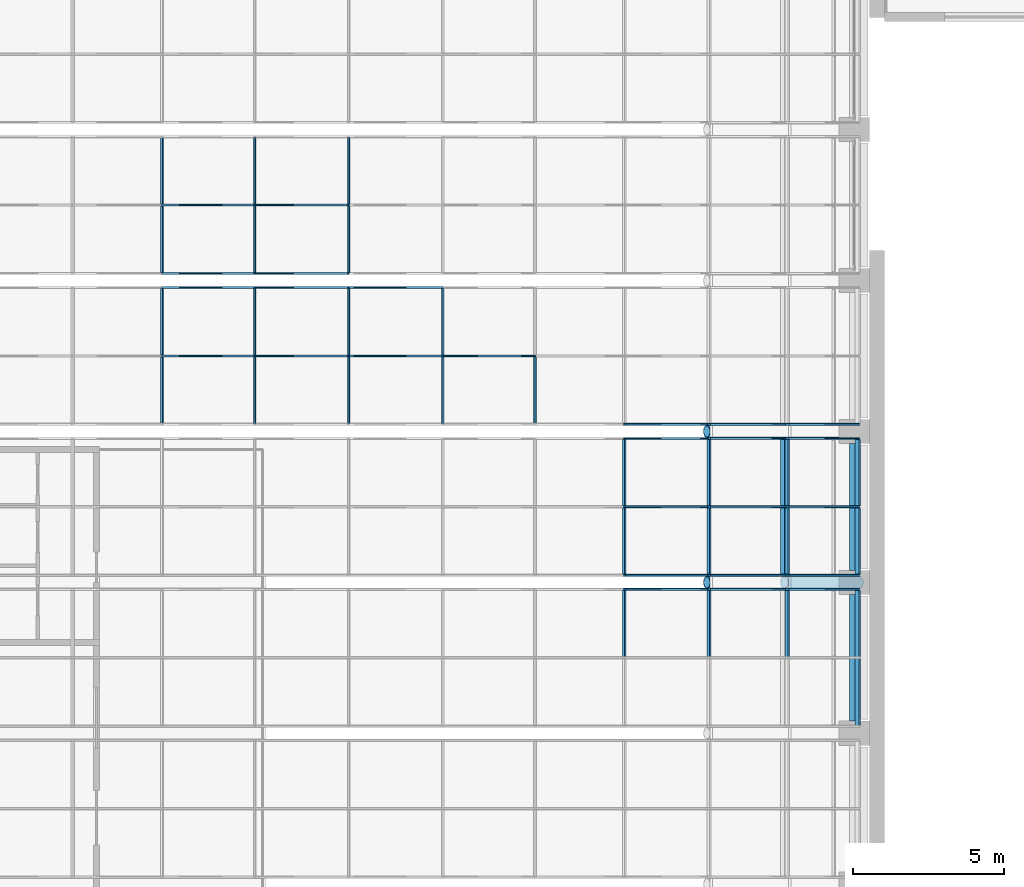
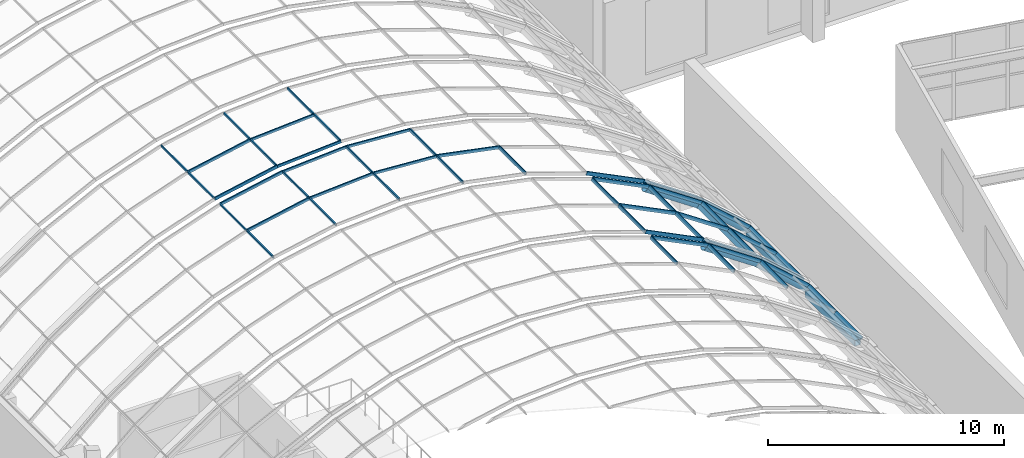
# One storey, part 54 of 182: 59 members, 2 beams, 4 elements without a shape of their own.
"""IFC4 building model written with IfcOpenShell, lengths in metres."""

from ifc_helpers import new_model, si_unit, direction, frame, origin, origin_2d, place, context, subcontext, project, spatial, rectangle, hollow_rectangle, hollow_circle, extrude, material, material_profile, profile_set, type_object, element, aggregate, save


model = new_model("IFC4")

# Units and contexts
model_context = context("Model", 3, precision=1e-05, world=origin(), true_north=direction((0.0, 1.0)))
body_context = subcontext(model_context, "Body", "Model", "MODEL_VIEW")
ifc_project = project(units=[si_unit("LENGTHUNIT", "METRE"), si_unit("AREAUNIT", "SQUARE_METRE"), si_unit("VOLUMEUNIT", "CUBIC_METRE"), si_unit("PLANEANGLEUNIT", "RADIAN"), si_unit("MASSUNIT", "GRAM", prefix="KILO")], contexts=[model_context])

# Site, building, storey
site_placement = place(None, origin())
site = spatial("IfcSite", under=ifc_project, at=site_placement, CompositionType="ELEMENT")
building_placement = place(site_placement, origin())
building = spatial("IfcBuilding", under=site, at=building_placement, Name="Okhra Congress Centre", CompositionType="ELEMENT")
storey_placement = place(building_placement, frame((0.0, 0.0, 7.199951171875)))
storey = spatial("IfcBuildingStorey", under=building, at=storey_placement, Name="L01", CompositionType="ELEMENT", Elevation=7.199951171875)

# Curtain wall, members
ifc_material_1 = material(Name="Aluminium frame with triple glazing", Category="aluminium")
curtain_wall_type = type_object("IfcCurtainWallType", Name="Glazed vault bay curtain wall", PredefinedType="NOTDEFINED", material=ifc_material_1)
curtain_wall_1_placement = place(storey_placement, origin())
curtain_wall_1 = element("IfcCurtainWall", 1, at=curtain_wall_1_placement, inside=storey, type_object=curtain_wall_type, Name="Vault glazing bay 13", PredefinedType="NOTDEFINED")
ifc_material_2 = material(Name="Aluminium alloy 6063", Category="aluminium")
ifc_material_profile_1 = material_profile(ifc_material_2, rectangle(XDim=0.06005859375, YDim=0.139892578125, at=origin_2d()), Name="AL 60x140")
ifc_profile_set_1 = profile_set([ifc_material_profile_1], Name="Aluminium alloy 6063")
member_type_1 = type_object("IfcMemberType", Name="Aluminium mullion 60x140", PredefinedType="MULLION", material=ifc_profile_set_1)
member_1_placement = place(storey_placement, frame((169.1337890625, 138.5, 8.7392578125), z_axis=(0.997826129775, 0.0, 0.065901553385), x_axis=(0.0, 1.0, 0.0)))
member_1 = element("IfcMember", 2, at=member_1_placement, type_object=member_type_1, Name="Vault mullion 13.2.6", PredefinedType="MULLION", context=body_context, shape_type="SweptSolid", body=[
    extrude(rectangle(XDim=0.06005859375, YDim=0.139892578125, at=origin_2d()), origin(), (0.0, 0.0, 1.0), 3.123046875),
])
member_2_placement = place(storey_placement, frame((172.25, 138.5, 8.945068359375), z_axis=(0.997826129775, 0.0, -0.065901553385), x_axis=(0.0, 1.0, 0.0)))
member_2 = element("IfcMember", 3, at=member_2_placement, type_object=member_type_1, Name="Vault mullion 13.2.7", PredefinedType="MULLION", context=body_context, shape_type="SweptSolid", body=[
    extrude(rectangle(XDim=0.06005859375, YDim=0.139892578125, at=origin_2d()), origin(), (0.0, 0.0, 1.0), 3.123046875),
])
member_3_placement = place(storey_placement, frame((169.1337890625, 140.766845703125, 8.7392578125), z_axis=(0.997826129775, 0.0, 0.065901553385), x_axis=(0.0, 1.0, 0.0)))
member_3 = element("IfcMember", 4, at=member_3_placement, type_object=member_type_1, Name="Vault mullion 13.3.6", PredefinedType="MULLION", context=body_context, shape_type="SweptSolid", body=[
    extrude(rectangle(XDim=0.06005859375, YDim=0.139892578125, at=origin_2d()), origin(), (0.0, 0.0, 1.0), 3.123046875),
])
member_4_placement = place(storey_placement, frame((172.25, 140.766845703125, 8.945068359375), z_axis=(0.997826129775, 0.0, -0.065901553385), x_axis=(0.0, 1.0, 0.0)))
member_4 = element("IfcMember", 5, at=member_4_placement, type_object=member_type_1, Name="Vault mullion 13.3.7", PredefinedType="MULLION", context=body_context, shape_type="SweptSolid", body=[
    extrude(rectangle(XDim=0.06005859375, YDim=0.139892578125, at=origin_2d()), origin(), (0.0, 0.0, 1.0), 3.123046875),
])

curtain_wall_2_placement = place(storey_placement, origin())
curtain_wall_2 = element("IfcCurtainWall", 6, at=curtain_wall_2_placement, inside=storey, type_object=curtain_wall_type, Name="Vault glazing bay 14", PredefinedType="NOTDEFINED")
member_5_placement = place(storey_placement, frame((169.1337890625, 141.233154296875, 8.7392578125), z_axis=(0.997826129775, 0.0, 0.065901553385), x_axis=(0.0, 1.0, 0.0)))
member_5 = element("IfcMember", 7, at=member_5_placement, type_object=member_type_1, Name="Vault mullion 14.1.6", PredefinedType="MULLION", context=body_context, shape_type="SweptSolid", body=[
    extrude(rectangle(XDim=0.06005859375, YDim=0.139892578125, at=origin_2d()), origin(), (0.0, 0.0, 1.0), 3.123046875),
])
member_6_placement = place(storey_placement, frame((169.1337890625, 143.5, 8.7392578125), z_axis=(0.997826129775, 0.0, 0.065901553385), x_axis=(0.0, 1.0, 0.0)))
member_6 = element("IfcMember", 8, at=member_6_placement, type_object=member_type_1, Name="Vault mullion 14.2.6", PredefinedType="MULLION", context=body_context, shape_type="SweptSolid", body=[
    extrude(rectangle(XDim=0.06005859375, YDim=0.139892578125, at=origin_2d()), origin(), (0.0, 0.0, 1.0), 3.123046875),
])

# Member
ifc_material_profile_2 = material_profile(ifc_material_2, rectangle(XDim=0.06005859375, YDim=0.159912109375, at=origin_2d()), Name="AL 60x160")
ifc_profile_set_2 = profile_set([ifc_material_profile_2], Name="Aluminium alloy 6063")
member_type_2 = type_object("IfcMemberType", Name="Aluminium mullion 60x160", PredefinedType="MULLION", material=ifc_profile_set_2)
member_7_placement = place(storey_placement, frame((166.069091796875, 138.5, 8.134765625), z_axis=(0.980484387086, 0.0, 0.196596965087), x_axis=(0.0, 1.0, 0.0)))
member_7 = element("IfcMember", 9, at=member_7_placement, type_object=member_type_2, Name="Vault mullion 13.2.5", PredefinedType="MULLION", context=body_context, shape_type="SweptSolid", body=[
    extrude(rectangle(XDim=0.06005859375, YDim=0.159912109375, at=origin_2d()), origin(), (0.0, 0.0, 1.0), 3.12451171875),
])

member_8_placement = place(storey_placement, frame((175.367431640625, 138.5, 8.7490234375), z_axis=(0.980484387086, 0.0, -0.196596965087), x_axis=(0.0, 1.0, 0.0)))
member_8 = element("IfcMember", 10, at=member_8_placement, type_object=member_type_2, Name="Vault mullion 13.2.8", PredefinedType="MULLION", context=body_context, shape_type="SweptSolid", body=[
    extrude(rectangle(XDim=0.06005859375, YDim=0.159912109375, at=origin_2d()), origin(), (0.0, 0.0, 1.0), 3.12451171875),
])

member_9_placement = place(storey_placement, frame((166.069091796875, 140.766845703125, 8.134765625), z_axis=(0.980484387086, 0.0, 0.196596965087), x_axis=(0.0, 1.0, 0.0)))
member_9 = element("IfcMember", 11, at=member_9_placement, type_object=member_type_2, Name="Vault mullion 13.3.5", PredefinedType="MULLION", context=body_context, shape_type="SweptSolid", body=[
    extrude(rectangle(XDim=0.06005859375, YDim=0.159912109375, at=origin_2d()), origin(), (0.0, 0.0, 1.0), 3.12451171875),
])

member_10_placement = place(storey_placement, frame((166.069091796875, 141.233154296875, 8.134765625), z_axis=(0.980484387086, 0.0, 0.196596965087), x_axis=(0.0, 1.0, 0.0)))
member_10 = element("IfcMember", 12, at=member_10_placement, type_object=member_type_2, Name="Vault mullion 14.1.5", PredefinedType="MULLION", context=body_context, shape_type="SweptSolid", body=[
    extrude(rectangle(XDim=0.06005859375, YDim=0.159912109375, at=origin_2d()), origin(), (0.0, 0.0, 1.0), 3.12451171875),
])

member_11_placement = place(storey_placement, frame((166.069091796875, 143.5, 8.134765625), z_axis=(0.980484387086, 0.0, 0.196596965087), x_axis=(0.0, 1.0, 0.0)))
member_11 = element("IfcMember", 13, at=member_11_placement, type_object=member_type_2, Name="Vault mullion 14.2.5", PredefinedType="MULLION", context=body_context, shape_type="SweptSolid", body=[
    extrude(rectangle(XDim=0.06005859375, YDim=0.159912109375, at=origin_2d()), origin(), (0.0, 0.0, 1.0), 3.12451171875),
])

# Curtain wall, members
curtain_wall_3_placement = place(storey_placement, origin())
curtain_wall_3 = element("IfcCurtainWall", 14, at=curtain_wall_3_placement, inside=storey, type_object=curtain_wall_type, Name="Vault glazing bay 11", PredefinedType="NOTDEFINED")
ifc_material_profile_3 = material_profile(ifc_material_2, rectangle(XDim=0.06005859375, YDim=0.179931640625, at=origin_2d()), Name="AL 60x180")
ifc_profile_set_3 = profile_set([ifc_material_profile_3], Name="Aluminium alloy 6063")
member_type_3 = type_object("IfcMemberType", Name="Aluminium mullion 60x180", PredefinedType="MULLION", material=ifc_profile_set_3)
member_12_placement = place(storey_placement, frame((181.390625, 130.766845703125, 7.1318359375), z_axis=(0.895253656313, 0.0, -0.445556832354), x_axis=(0.0, 1.0, 0.0)))
member_12 = element("IfcMember", 15, at=member_12_placement, type_object=member_type_3, Name="Vault mullion 11.3.10", PredefinedType="MULLION", context=body_context, shape_type="SweptSolid", body=[
    extrude(rectangle(XDim=0.06005859375, YDim=0.179931640625, at=origin_2d()), origin(), (0.0, 0.0, 1.0), 3.12548828125),
])
member_13_placement = place(storey_placement, frame((184.188720703125, 130.766845703125, 5.7392578125), z_axis=(0.828827846338, 0.0, -0.559503709671), x_axis=(0.0, 1.0, 0.0)))
member_13 = element("IfcMember", 16, at=member_13_placement, type_object=member_type_3, Name="Vault mullion 11.3.11", PredefinedType="MULLION", context=body_context, shape_type="SweptSolid", body=[
    extrude(rectangle(XDim=0.06005859375, YDim=0.179931640625, at=origin_2d()), origin(), (0.0, 0.0, 1.0), 3.12548828125),
])
member_14_placement = place(storey_placement, frame((186.779296875, 130.766845703125, 3.990478515625), z_axis=(0.748025229923, 0.0, -0.663670291183), x_axis=(0.0, 1.0, 0.0)))
member_14 = element("IfcMember", 17, at=member_14_placement, type_object=member_type_3, Name="Vault mullion 11.3.12", PredefinedType="MULLION", context=body_context, shape_type="SweptSolid", body=[
    extrude(rectangle(XDim=0.06005859375, YDim=0.179931640625, at=origin_2d()), origin(), (0.0, 0.0, 1.0), 3.125732421875),
])

curtain_wall_4_placement = place(storey_placement, origin())
curtain_wall_4 = element("IfcCurtainWall", 18, at=curtain_wall_4_placement, inside=storey, type_object=curtain_wall_type, Name="Vault glazing bay 12", PredefinedType="NOTDEFINED")
member_15_placement = place(storey_placement, frame((181.390625, 131.233154296875, 7.1318359375), z_axis=(0.895253656313, 0.0, -0.445556832354), x_axis=(0.0, 1.0, 0.0)))
member_15 = element("IfcMember", 19, at=member_15_placement, type_object=member_type_3, Name="Vault mullion 12.1.10", PredefinedType="MULLION", context=body_context, shape_type="SweptSolid", body=[
    extrude(rectangle(XDim=0.06005859375, YDim=0.179931640625, at=origin_2d()), origin(), (0.0, 0.0, 1.0), 3.12548828125),
])
member_16_placement = place(storey_placement, frame((184.188720703125, 131.233154296875, 5.7392578125), z_axis=(0.828827846338, 0.0, -0.559503709671), x_axis=(0.0, 1.0, 0.0)))
member_16 = element("IfcMember", 20, at=member_16_placement, type_object=member_type_3, Name="Vault mullion 12.1.11", PredefinedType="MULLION", context=body_context, shape_type="SweptSolid", body=[
    extrude(rectangle(XDim=0.06005859375, YDim=0.179931640625, at=origin_2d()), origin(), (0.0, 0.0, 1.0), 3.12548828125),
])
member_17_placement = place(storey_placement, frame((186.779296875, 131.233154296875, 3.990478515625), z_axis=(0.748025229923, 0.0, -0.663670291183), x_axis=(0.0, 1.0, 0.0)))
member_17 = element("IfcMember", 21, at=member_17_placement, type_object=member_type_3, Name="Vault mullion 12.1.12", PredefinedType="MULLION", context=body_context, shape_type="SweptSolid", body=[
    extrude(rectangle(XDim=0.06005859375, YDim=0.179931640625, at=origin_2d()), origin(), (0.0, 0.0, 1.0), 3.125732421875),
])
member_18_placement = place(storey_placement, frame((181.390625, 133.5, 7.1318359375), z_axis=(0.895253656313, 0.0, -0.445556832354), x_axis=(0.0, 1.0, 0.0)))
member_18 = element("IfcMember", 22, at=member_18_placement, type_object=member_type_3, Name="Vault mullion 12.2.10", PredefinedType="MULLION", context=body_context, shape_type="SweptSolid", body=[
    extrude(rectangle(XDim=0.06005859375, YDim=0.179931640625, at=origin_2d()), origin(), (0.0, 0.0, 1.0), 3.12548828125),
])
member_19_placement = place(storey_placement, frame((184.188720703125, 133.5, 5.7392578125), z_axis=(0.828827846338, 0.0, -0.559503709671), x_axis=(0.0, 1.0, 0.0)))
member_19 = element("IfcMember", 23, at=member_19_placement, type_object=member_type_3, Name="Vault mullion 12.2.11", PredefinedType="MULLION", context=body_context, shape_type="SweptSolid", body=[
    extrude(rectangle(XDim=0.06005859375, YDim=0.179931640625, at=origin_2d()), origin(), (0.0, 0.0, 1.0), 3.12548828125),
])
member_20_placement = place(storey_placement, frame((186.779296875, 133.5, 3.990478515625), z_axis=(0.748025229923, 0.0, -0.663670291183), x_axis=(0.0, 1.0, 0.0)))
member_20 = element("IfcMember", 24, at=member_20_placement, type_object=member_type_3, Name="Vault mullion 12.2.12", PredefinedType="MULLION", context=body_context, shape_type="SweptSolid", body=[
    extrude(rectangle(XDim=0.06005859375, YDim=0.179931640625, at=origin_2d()), origin(), (0.0, 0.0, 1.0), 3.125732421875),
])
member_21_placement = place(storey_placement, frame((181.390625, 135.766845703125, 7.1318359375), z_axis=(0.895253656313, 0.0, -0.445556832354), x_axis=(0.0, 1.0, 0.0)))
member_21 = element("IfcMember", 25, at=member_21_placement, type_object=member_type_3, Name="Vault mullion 12.3.10", PredefinedType="MULLION", context=body_context, shape_type="SweptSolid", body=[
    extrude(rectangle(XDim=0.06005859375, YDim=0.179931640625, at=origin_2d()), origin(), (0.0, 0.0, 1.0), 3.12548828125),
])
member_22_placement = place(storey_placement, frame((184.188720703125, 135.766845703125, 5.7392578125), z_axis=(0.828827846338, 0.0, -0.559503709671), x_axis=(0.0, 1.0, 0.0)))
member_22 = element("IfcMember", 26, at=member_22_placement, type_object=member_type_3, Name="Vault mullion 12.3.11", PredefinedType="MULLION", context=body_context, shape_type="SweptSolid", body=[
    extrude(rectangle(XDim=0.06005859375, YDim=0.179931640625, at=origin_2d()), origin(), (0.0, 0.0, 1.0), 3.12548828125),
])
member_23_placement = place(storey_placement, frame((186.779296875, 135.766845703125, 3.990478515625), z_axis=(0.748025229923, 0.0, -0.663670291183), x_axis=(0.0, 1.0, 0.0)))
member_23 = element("IfcMember", 27, at=member_23_placement, type_object=member_type_3, Name="Vault mullion 12.3.12", PredefinedType="MULLION", context=body_context, shape_type="SweptSolid", body=[
    extrude(rectangle(XDim=0.06005859375, YDim=0.179931640625, at=origin_2d()), origin(), (0.0, 0.0, 1.0), 3.125732421875),
])

# Member
member_24_placement = place(storey_placement, frame((181.390625, 136.233154296875, 7.1318359375), z_axis=(0.895253656313, 0.0, -0.445556832354), x_axis=(0.0, 1.0, 0.0)))
member_24 = element("IfcMember", 28, at=member_24_placement, type_object=member_type_3, Name="Vault mullion 13.1.10", PredefinedType="MULLION", context=body_context, shape_type="SweptSolid", body=[
    extrude(rectangle(XDim=0.06005859375, YDim=0.179931640625, at=origin_2d()), origin(), (0.0, 0.0, 1.0), 3.12548828125),
])

member_25_placement = place(storey_placement, frame((184.188720703125, 136.233154296875, 5.7392578125), z_axis=(0.828827846338, 0.0, -0.559503709671), x_axis=(0.0, 1.0, 0.0)))
member_25 = element("IfcMember", 29, at=member_25_placement, type_object=member_type_3, Name="Vault mullion 13.1.11", PredefinedType="MULLION", context=body_context, shape_type="SweptSolid", body=[
    extrude(rectangle(XDim=0.06005859375, YDim=0.179931640625, at=origin_2d()), origin(), (0.0, 0.0, 1.0), 3.12548828125),
])

member_26_placement = place(storey_placement, frame((186.779296875, 136.233154296875, 3.990478515625), z_axis=(0.748025229923, 0.0, -0.663670291183), x_axis=(0.0, 1.0, 0.0)))
member_26 = element("IfcMember", 30, at=member_26_placement, type_object=member_type_3, Name="Vault mullion 13.1.12", PredefinedType="MULLION", context=body_context, shape_type="SweptSolid", body=[
    extrude(rectangle(XDim=0.06005859375, YDim=0.179931640625, at=origin_2d()), origin(), (0.0, 0.0, 1.0), 3.125732421875),
])

ifc_material_profile_4 = material_profile(ifc_material_2, rectangle(XDim=0.06005859375, YDim=0.139892578125, at=origin_2d()), Name="AL 60x140 transom")
ifc_profile_set_4 = profile_set([ifc_material_profile_4], Name="Aluminium alloy 6063")
member_type_4 = type_object("IfcMemberType", Name="Aluminium transom 60x140", PredefinedType="USERDEFINED", material=ifc_profile_set_4)
member_27_placement = place(storey_placement, frame((169.1337890625, 136.26318359375, 8.7392578125), z_axis=(0.0, 1.0, 0.0), x_axis=(-0.991307202734, 0.0, -0.131567586459)))
member_27 = element("IfcMember", 31, at=member_27_placement, type_object=member_type_4, Name="Vault transom 13.1.6", ObjectType="TRANSOM", PredefinedType="USERDEFINED", context=body_context, shape_type="SweptSolid", body=[
    extrude(rectangle(XDim=0.06005859375, YDim=0.139892578125, at=origin_2d()), origin(), (0.0, 0.0, 1.0), 2.206787109375),
])

member_28_placement = place(storey_placement, frame((172.25, 136.26318359375, 8.945068359375), z_axis=(0.0, 1.0, 0.0), x_axis=(-1.0, 0.0, 0.0)))
member_28 = element("IfcMember", 32, at=member_28_placement, type_object=member_type_4, Name="Vault transom 13.1.7", ObjectType="TRANSOM", PredefinedType="USERDEFINED", context=body_context, shape_type="SweptSolid", body=[
    extrude(rectangle(XDim=0.06005859375, YDim=0.139892578125, at=origin_2d()), origin(), (0.0, 0.0, 1.0), 2.206787109375),
])

member_29_placement = place(storey_placement, frame((175.3662109375, 136.26318359375, 8.7392578125), z_axis=(0.0, 1.0, 0.0), x_axis=(-0.991307202734, 0.0, 0.131567586459)))
member_29 = element("IfcMember", 33, at=member_29_placement, type_object=member_type_4, Name="Vault transom 13.1.8", ObjectType="TRANSOM", PredefinedType="USERDEFINED", context=body_context, shape_type="SweptSolid", body=[
    extrude(rectangle(XDim=0.06005859375, YDim=0.139892578125, at=origin_2d()), origin(), (0.0, 0.0, 1.0), 2.206787109375),
])

member_30_placement = place(storey_placement, frame((169.1337890625, 138.530029296875, 8.7392578125), z_axis=(0.0, 1.0, 0.0), x_axis=(-0.991307202734, 0.0, -0.131567586459)))
member_30 = element("IfcMember", 34, at=member_30_placement, type_object=member_type_4, Name="Vault transom 13.2.6", ObjectType="TRANSOM", PredefinedType="USERDEFINED", context=body_context, shape_type="SweptSolid", body=[
    extrude(rectangle(XDim=0.06005859375, YDim=0.139892578125, at=origin_2d()), origin(), (0.0, 0.0, 1.0), 2.206787109375),
])

member_31_placement = place(storey_placement, frame((172.25, 138.530029296875, 8.945068359375), z_axis=(0.0, 1.0, 0.0), x_axis=(-1.0, 0.0, 0.0)))
member_31 = element("IfcMember", 35, at=member_31_placement, type_object=member_type_4, Name="Vault transom 13.2.7", ObjectType="TRANSOM", PredefinedType="USERDEFINED", context=body_context, shape_type="SweptSolid", body=[
    extrude(rectangle(XDim=0.06005859375, YDim=0.139892578125, at=origin_2d()), origin(), (0.0, 0.0, 1.0), 2.206787109375),
])

member_32_placement = place(storey_placement, frame((175.3662109375, 138.530029296875, 8.7392578125), z_axis=(0.0, 1.0, 0.0), x_axis=(-0.991307202734, 0.0, 0.131567586459)))
member_32 = element("IfcMember", 36, at=member_32_placement, type_object=member_type_4, Name="Vault transom 13.2.8", ObjectType="TRANSOM", PredefinedType="USERDEFINED", context=body_context, shape_type="SweptSolid", body=[
    extrude(rectangle(XDim=0.06005859375, YDim=0.139892578125, at=origin_2d()), origin(), (0.0, 0.0, 1.0), 2.206787109375),
])

member_33_placement = place(storey_placement, frame((169.1337890625, 141.26318359375, 8.7392578125), z_axis=(0.0, 1.0, 0.0), x_axis=(-0.991307202734, 0.0, -0.131567586459)))
member_33 = element("IfcMember", 37, at=member_33_placement, type_object=member_type_4, Name="Vault transom 14.1.6", ObjectType="TRANSOM", PredefinedType="USERDEFINED", context=body_context, shape_type="SweptSolid", body=[
    extrude(rectangle(XDim=0.06005859375, YDim=0.139892578125, at=origin_2d()), origin(), (0.0, 0.0, 1.0), 2.206787109375),
])

member_34_placement = place(storey_placement, frame((172.25, 141.26318359375, 8.945068359375), z_axis=(0.0, 1.0, 0.0), x_axis=(-1.0, 0.0, 0.0)))
member_34 = element("IfcMember", 38, at=member_34_placement, type_object=member_type_4, Name="Vault transom 14.1.7", ObjectType="TRANSOM", PredefinedType="USERDEFINED", context=body_context, shape_type="SweptSolid", body=[
    extrude(rectangle(XDim=0.06005859375, YDim=0.139892578125, at=origin_2d()), origin(), (0.0, 0.0, 1.0), 2.206787109375),
])

member_35_placement = place(storey_placement, frame((169.1337890625, 143.530029296875, 8.7392578125), z_axis=(0.0, 1.0, 0.0), x_axis=(-0.991307202734, 0.0, -0.131567586459)))
member_35 = element("IfcMember", 39, at=member_35_placement, type_object=member_type_4, Name="Vault transom 14.2.6", ObjectType="TRANSOM", PredefinedType="USERDEFINED", context=body_context, shape_type="SweptSolid", body=[
    extrude(rectangle(XDim=0.06005859375, YDim=0.139892578125, at=origin_2d()), origin(), (0.0, 0.0, 1.0), 2.206787109375),
])

member_36_placement = place(storey_placement, frame((172.25, 143.530029296875, 8.945068359375), z_axis=(0.0, 1.0, 0.0), x_axis=(-1.0, 0.0, 0.0)))
member_36 = element("IfcMember", 40, at=member_36_placement, type_object=member_type_4, Name="Vault transom 14.2.7", ObjectType="TRANSOM", PredefinedType="USERDEFINED", context=body_context, shape_type="SweptSolid", body=[
    extrude(rectangle(XDim=0.06005859375, YDim=0.139892578125, at=origin_2d()), origin(), (0.0, 0.0, 1.0), 2.206787109375),
])

ifc_material_profile_5 = material_profile(ifc_material_2, rectangle(XDim=0.06005859375, YDim=0.159912109375, at=origin_2d()), Name="AL 60x160 transom")
ifc_profile_set_5 = profile_set([ifc_material_profile_5], Name="Aluminium alloy 6063")
member_type_5 = type_object("IfcMemberType", Name="Aluminium transom 60x160", PredefinedType="USERDEFINED", material=ifc_profile_set_5)
member_37_placement = place(storey_placement, frame((181.38671875, 128.530029296875, 7.12255859375), z_axis=(0.0, 1.0, 0.0), x_axis=(-0.922668973833, 0.0, 0.38559300399)))
member_37 = element("IfcMember", 41, at=member_37_placement, type_object=member_type_5, Name="Vault transom 11.2.10", ObjectType="TRANSOM", PredefinedType="USERDEFINED", context=body_context, shape_type="SweptSolid", body=[
    extrude(rectangle(XDim=0.06005859375, YDim=0.159912109375, at=origin_2d()), origin(), (0.0, 0.0, 1.0), 2.206787109375),
])

member_38_placement = place(storey_placement, frame((181.38671875, 131.26318359375, 7.12255859375), z_axis=(0.0, 1.0, 0.0), x_axis=(-0.922668973833, 0.0, 0.38559300399)))
member_38 = element("IfcMember", 42, at=member_38_placement, type_object=member_type_5, Name="Vault transom 12.1.10", ObjectType="TRANSOM", PredefinedType="USERDEFINED", context=body_context, shape_type="SweptSolid", body=[
    extrude(rectangle(XDim=0.06005859375, YDim=0.159912109375, at=origin_2d()), origin(), (0.0, 0.0, 1.0), 2.206787109375),
])

member_39_placement = place(storey_placement, frame((181.38671875, 133.530029296875, 7.12255859375), z_axis=(0.0, 1.0, 0.0), x_axis=(-0.922668973833, 0.0, 0.38559300399)))
member_39 = element("IfcMember", 43, at=member_39_placement, type_object=member_type_5, Name="Vault transom 12.2.10", ObjectType="TRANSOM", PredefinedType="USERDEFINED", context=body_context, shape_type="SweptSolid", body=[
    extrude(rectangle(XDim=0.06005859375, YDim=0.159912109375, at=origin_2d()), origin(), (0.0, 0.0, 1.0), 2.206787109375),
])

member_40_placement = place(storey_placement, frame((166.069091796875, 136.26318359375, 8.134765625), z_axis=(0.0, 1.0, 0.0), x_axis=(-0.965379940391, 0.0, -0.260847792191)))
member_40 = element("IfcMember", 44, at=member_40_placement, type_object=member_type_5, Name="Vault transom 13.1.5", ObjectType="TRANSOM", PredefinedType="USERDEFINED", context=body_context, shape_type="SweptSolid", body=[
    extrude(rectangle(XDim=0.06005859375, YDim=0.159912109375, at=origin_2d()), origin(), (0.0, 0.0, 1.0), 2.206787109375),
])

member_41_placement = place(storey_placement, frame((178.430908203125, 136.26318359375, 8.134765625), z_axis=(0.0, 1.0, 0.0), x_axis=(-0.965379940391, 0.0, 0.260847792191)))
member_41 = element("IfcMember", 45, at=member_41_placement, type_object=member_type_5, Name="Vault transom 13.1.9", ObjectType="TRANSOM", PredefinedType="USERDEFINED", context=body_context, shape_type="SweptSolid", body=[
    extrude(rectangle(XDim=0.06005859375, YDim=0.159912109375, at=origin_2d()), origin(), (0.0, 0.0, 1.0), 2.206787109375),
])

member_42_placement = place(storey_placement, frame((166.069091796875, 138.530029296875, 8.134765625), z_axis=(0.0, 1.0, 0.0), x_axis=(-0.965379940391, 0.0, -0.260847792191)))
member_42 = element("IfcMember", 46, at=member_42_placement, type_object=member_type_5, Name="Vault transom 13.2.5", ObjectType="TRANSOM", PredefinedType="USERDEFINED", context=body_context, shape_type="SweptSolid", body=[
    extrude(rectangle(XDim=0.06005859375, YDim=0.159912109375, at=origin_2d()), origin(), (0.0, 0.0, 1.0), 2.206787109375),
])

aggregate(curtain_wall_1, [member_24, member_25, member_26, member_7, member_1, member_2, member_8, member_9, member_3, member_4, member_40, member_27, member_28, member_29, member_41, member_42, member_30, member_31, member_32])

member_43_placement = place(storey_placement, frame((166.069091796875, 141.26318359375, 8.134765625), z_axis=(0.0, 1.0, 0.0), x_axis=(-0.965379940391, 0.0, -0.260847792191)))
member_43 = element("IfcMember", 47, at=member_43_placement, type_object=member_type_5, Name="Vault transom 14.1.5", ObjectType="TRANSOM", PredefinedType="USERDEFINED", context=body_context, shape_type="SweptSolid", body=[
    extrude(rectangle(XDim=0.06005859375, YDim=0.159912109375, at=origin_2d()), origin(), (0.0, 0.0, 1.0), 2.206787109375),
])

member_44_placement = place(storey_placement, frame((166.069091796875, 143.530029296875, 8.134765625), z_axis=(0.0, 1.0, 0.0), x_axis=(-0.965379940391, 0.0, -0.260847792191)))
member_44 = element("IfcMember", 48, at=member_44_placement, type_object=member_type_5, Name="Vault transom 14.2.5", ObjectType="TRANSOM", PredefinedType="USERDEFINED", context=body_context, shape_type="SweptSolid", body=[
    extrude(rectangle(XDim=0.06005859375, YDim=0.159912109375, at=origin_2d()), origin(), (0.0, 0.0, 1.0), 2.206787109375),
])

aggregate(curtain_wall_2, [member_10, member_5, member_11, member_6, member_43, member_33, member_34, member_44, member_35, member_36])

ifc_material_profile_6 = material_profile(ifc_material_2, rectangle(XDim=0.06005859375, YDim=0.179931640625, at=origin_2d()), Name="AL 60x180 transom")
ifc_profile_set_6 = profile_set([ifc_material_profile_6], Name="Aluminium alloy 6063")
member_type_6 = type_object("IfcMemberType", Name="Aluminium transom 60x180", PredefinedType="USERDEFINED", material=ifc_profile_set_6)
member_45_placement = place(storey_placement, frame((189.117431640625, 126.26318359375, 1.916015625), z_axis=(0.0, 1.0, 0.0), x_axis=(-0.702636070549, 0.0, 0.711549402616)))
member_45 = element("IfcMember", 49, at=member_45_placement, type_object=member_type_6, Name="Vault transom 11.1.13", ObjectType="TRANSOM", PredefinedType="USERDEFINED", context=body_context, shape_type="SweptSolid", body=[
    extrude(rectangle(XDim=0.06005859375, YDim=0.179931640625, at=origin_2d()), origin(), (0.0, 0.0, 1.0), 2.206787109375),
])

member_46_placement = place(storey_placement, frame((184.188720703125, 128.530029296875, 5.7392578125), z_axis=(0.0, 1.0, 0.0), x_axis=(-0.86391685861, 0.0, 0.503634452167)))
member_46 = element("IfcMember", 50, at=member_46_placement, type_object=member_type_6, Name="Vault transom 11.2.11", ObjectType="TRANSOM", PredefinedType="USERDEFINED", context=body_context, shape_type="SweptSolid", body=[
    extrude(rectangle(XDim=0.06005859375, YDim=0.179931640625, at=origin_2d()), origin(), (0.0, 0.0, 1.0), 2.206787109375),
])

member_47_placement = place(storey_placement, frame((186.779296875, 128.530029296875, 3.990478515625), z_axis=(0.0, 1.0, 0.0), x_axis=(-0.790145035185, 0.0, 0.612919915954)))
member_47 = element("IfcMember", 51, at=member_47_placement, type_object=member_type_6, Name="Vault transom 11.2.12", ObjectType="TRANSOM", PredefinedType="USERDEFINED", context=body_context, shape_type="SweptSolid", body=[
    extrude(rectangle(XDim=0.06005859375, YDim=0.179931640625, at=origin_2d()), origin(), (0.0, 0.0, 1.0), 2.206787109375),
])

member_48_placement = place(storey_placement, frame((189.117431640625, 128.530029296875, 1.916015625), z_axis=(0.0, 1.0, 0.0), x_axis=(-0.702636070549, 0.0, 0.711549402616)))
member_48 = element("IfcMember", 52, at=member_48_placement, type_object=member_type_6, Name="Vault transom 11.2.13", ObjectType="TRANSOM", PredefinedType="USERDEFINED", context=body_context, shape_type="SweptSolid", body=[
    extrude(rectangle(XDim=0.06005859375, YDim=0.179931640625, at=origin_2d()), origin(), (0.0, 0.0, 1.0), 2.206787109375),
])

aggregate(curtain_wall_3, [member_12, member_13, member_14, member_45, member_37, member_46, member_47, member_48])

member_49_placement = place(storey_placement, frame((184.188720703125, 131.26318359375, 5.7392578125), z_axis=(0.0, 1.0, 0.0), x_axis=(-0.86391685861, 0.0, 0.503634452167)))
member_49 = element("IfcMember", 53, at=member_49_placement, type_object=member_type_6, Name="Vault transom 12.1.11", ObjectType="TRANSOM", PredefinedType="USERDEFINED", context=body_context, shape_type="SweptSolid", body=[
    extrude(rectangle(XDim=0.06005859375, YDim=0.179931640625, at=origin_2d()), origin(), (0.0, 0.0, 1.0), 2.206787109375),
])

member_50_placement = place(storey_placement, frame((186.779296875, 131.26318359375, 3.990478515625), z_axis=(0.0, 1.0, 0.0), x_axis=(-0.790145035185, 0.0, 0.612919915954)))
member_50 = element("IfcMember", 54, at=member_50_placement, type_object=member_type_6, Name="Vault transom 12.1.12", ObjectType="TRANSOM", PredefinedType="USERDEFINED", context=body_context, shape_type="SweptSolid", body=[
    extrude(rectangle(XDim=0.06005859375, YDim=0.179931640625, at=origin_2d()), origin(), (0.0, 0.0, 1.0), 2.206787109375),
])

member_51_placement = place(storey_placement, frame((189.117431640625, 131.26318359375, 1.916015625), z_axis=(0.0, 1.0, 0.0), x_axis=(-0.702636070549, 0.0, 0.711549402616)))
member_51 = element("IfcMember", 55, at=member_51_placement, type_object=member_type_6, Name="Vault transom 12.1.13", ObjectType="TRANSOM", PredefinedType="USERDEFINED", context=body_context, shape_type="SweptSolid", body=[
    extrude(rectangle(XDim=0.06005859375, YDim=0.179931640625, at=origin_2d()), origin(), (0.0, 0.0, 1.0), 2.206787109375),
])

member_52_placement = place(storey_placement, frame((184.188720703125, 133.530029296875, 5.7392578125), z_axis=(0.0, 1.0, 0.0), x_axis=(-0.86391685861, 0.0, 0.503634452167)))
member_52 = element("IfcMember", 56, at=member_52_placement, type_object=member_type_6, Name="Vault transom 12.2.11", ObjectType="TRANSOM", PredefinedType="USERDEFINED", context=body_context, shape_type="SweptSolid", body=[
    extrude(rectangle(XDim=0.06005859375, YDim=0.179931640625, at=origin_2d()), origin(), (0.0, 0.0, 1.0), 2.206787109375),
])

member_53_placement = place(storey_placement, frame((186.779296875, 133.530029296875, 3.990478515625), z_axis=(0.0, 1.0, 0.0), x_axis=(-0.790145035185, 0.0, 0.612919915954)))
member_53 = element("IfcMember", 57, at=member_53_placement, type_object=member_type_6, Name="Vault transom 12.2.12", ObjectType="TRANSOM", PredefinedType="USERDEFINED", context=body_context, shape_type="SweptSolid", body=[
    extrude(rectangle(XDim=0.06005859375, YDim=0.179931640625, at=origin_2d()), origin(), (0.0, 0.0, 1.0), 2.206787109375),
])

member_54_placement = place(storey_placement, frame((189.117431640625, 133.530029296875, 1.916015625), z_axis=(0.0, 1.0, 0.0), x_axis=(-0.702636070549, 0.0, 0.711549402616)))
member_54 = element("IfcMember", 58, at=member_54_placement, type_object=member_type_6, Name="Vault transom 12.2.13", ObjectType="TRANSOM", PredefinedType="USERDEFINED", context=body_context, shape_type="SweptSolid", body=[
    extrude(rectangle(XDim=0.06005859375, YDim=0.179931640625, at=origin_2d()), origin(), (0.0, 0.0, 1.0), 2.206787109375),
])

aggregate(curtain_wall_4, [member_15, member_16, member_17, member_18, member_19, member_20, member_21, member_22, member_23, member_38, member_49, member_50, member_51, member_39, member_52, member_53, member_54])

# Beams
ifc_material_3 = material(Name="Steel S355J2", Category="steel")
ifc_material_profile_7 = material_profile(ifc_material_3, hollow_rectangle(XDim=0.300048828125, YDim=0.300048828125, WallThickness=0.012451171875, at=origin_2d()), Name="RHS 300x300x12.5")
ifc_profile_set_7 = profile_set([ifc_material_profile_7], Name="Steel S355J2")
beam_type = type_object("IfcBeamType", Name="Steel eaves beam RHS 300x300x12.5", PredefinedType="BEAM", material=ifc_profile_set_7)
for number, where, z_axis, x_axis, name in (
    (59, (189.0, 126.39990234375, 1.650146484375), (0.0, 1.0, 0.0), (-1.0, 0.0, 0.0), "Eaves beam E11"),
    (60, (189.0, 131.39990234375, 1.650146484375), (0.0, 1.0, 0.0), (-1.0, 0.0, 0.0), "Eaves beam E12"),
):
    element("IfcBeam", number, at=place(storey_placement, frame(where, z_axis=z_axis, x_axis=x_axis)), inside=storey, type_object=beam_type, Name=name, PredefinedType="BEAM", context=body_context, shape_type="SweptSolid", body=[
        extrude(hollow_rectangle(XDim=0.300048828125, YDim=0.300048828125, WallThickness=0.012451171875, at=origin_2d()), origin(), (0.0, 0.0, 1.0), 4.2001953125),
    ])

# Members
ifc_material_profile_8 = material_profile(ifc_material_3, hollow_rectangle(XDim=0.10009765625, YDim=0.199951171875, WallThickness=0.008056640625, at=origin_2d()), Name="RHS 200x100x8")
ifc_profile_set_8 = profile_set([ifc_material_profile_8], Name="Steel S355J2")
member_type_7 = type_object("IfcMemberType", Name="Steel purlin RHS 200x100x8", PredefinedType="PURLIN", material=ifc_profile_set_8)
member_55_placement = place(storey_placement, frame((186.662841796875, 131.203125, 3.84033203125), z_axis=(0.0, 1.0, 0.0), x_axis=(-0.790145035185, 0.0, 0.612919915954)))
element("IfcMember", 61, at=member_55_placement, inside=storey, type_object=member_type_7, Name="Vault purlin 12.11", PredefinedType="PURLIN", context=body_context, shape_type="SweptSolid", body=[
    extrude(hollow_rectangle(XDim=0.10009765625, YDim=0.199951171875, WallThickness=0.008056640625, at=origin_2d()), origin(), (0.0, 0.0, 1.0), 4.59375),
])
ifc_material_profile_9 = material_profile(ifc_material_3, hollow_circle(Radius=0.203125, WallThickness=0.01611328125, at=origin_2d()), Name="CHS 406.4x16")
ifc_profile_set_9 = profile_set([ifc_material_profile_9], Name="Steel S355J2")
member_type_8 = type_object("IfcMemberType", Name="Tubular steel arch rib CHS 406x16", PredefinedType="USERDEFINED", material=ifc_profile_set_9)
member_56_placement = place(storey_placement, frame((184.116943359375, 131.0, 5.589111328125), z_axis=(0.82882567543, 0.0, -0.559506925558), x_axis=(0.0, 1.0, 0.0)))
element("IfcMember", 62, at=member_56_placement, inside=storey, type_object=member_type_8, Name="Arch rib 12.11", ObjectType="Arch rib", PredefinedType="USERDEFINED", context=body_context, shape_type="SweptSolid", body=[
    extrude(hollow_circle(Radius=0.203125, WallThickness=0.01611328125, at=origin_2d()), origin(), (0.0, 0.0, 1.0), 3.07666015625),
])
member_57_placement = place(storey_placement, frame((186.6884765625, 131.0, 3.85107421875), z_axis=(0.74799336374, 0.0, -0.663706205938), x_axis=(0.0, 1.0, 0.0)))
element("IfcMember", 63, at=member_57_placement, inside=storey, type_object=member_type_8, Name="Arch rib 12.12", ObjectType="Arch rib", PredefinedType="USERDEFINED", context=body_context, shape_type="SweptSolid", body=[
    extrude(hollow_circle(Radius=0.203125, WallThickness=0.01611328125, at=origin_2d()), origin(), (0.0, 0.0, 1.0), 3.3193359375),
])
member_58_placement = place(storey_placement, frame((184.116943359375, 136.0, 5.589111328125), z_axis=(0.82882567543, 0.0, -0.559506925558), x_axis=(0.0, 1.0, 0.0)))
element("IfcMember", 64, at=member_58_placement, inside=storey, type_object=member_type_8, Name="Arch rib 13.11", ObjectType="Arch rib", PredefinedType="USERDEFINED", context=body_context, shape_type="SweptSolid", body=[
    extrude(hollow_circle(Radius=0.203125, WallThickness=0.01611328125, at=origin_2d()), origin(), (0.0, 0.0, 1.0), 3.07666015625),
])
member_59_placement = place(storey_placement, frame((186.6884765625, 136.0, 3.85107421875), z_axis=(0.74799336374, 0.0, -0.663706205938), x_axis=(0.0, 1.0, 0.0)))
element("IfcMember", 65, at=member_59_placement, inside=storey, type_object=member_type_8, Name="Arch rib 13.12", ObjectType="Arch rib", PredefinedType="USERDEFINED", context=body_context, shape_type="SweptSolid", body=[
    extrude(hollow_circle(Radius=0.203125, WallThickness=0.01611328125, at=origin_2d()), origin(), (0.0, 0.0, 1.0), 3.3193359375),
])

save(model, "model.ifc")
